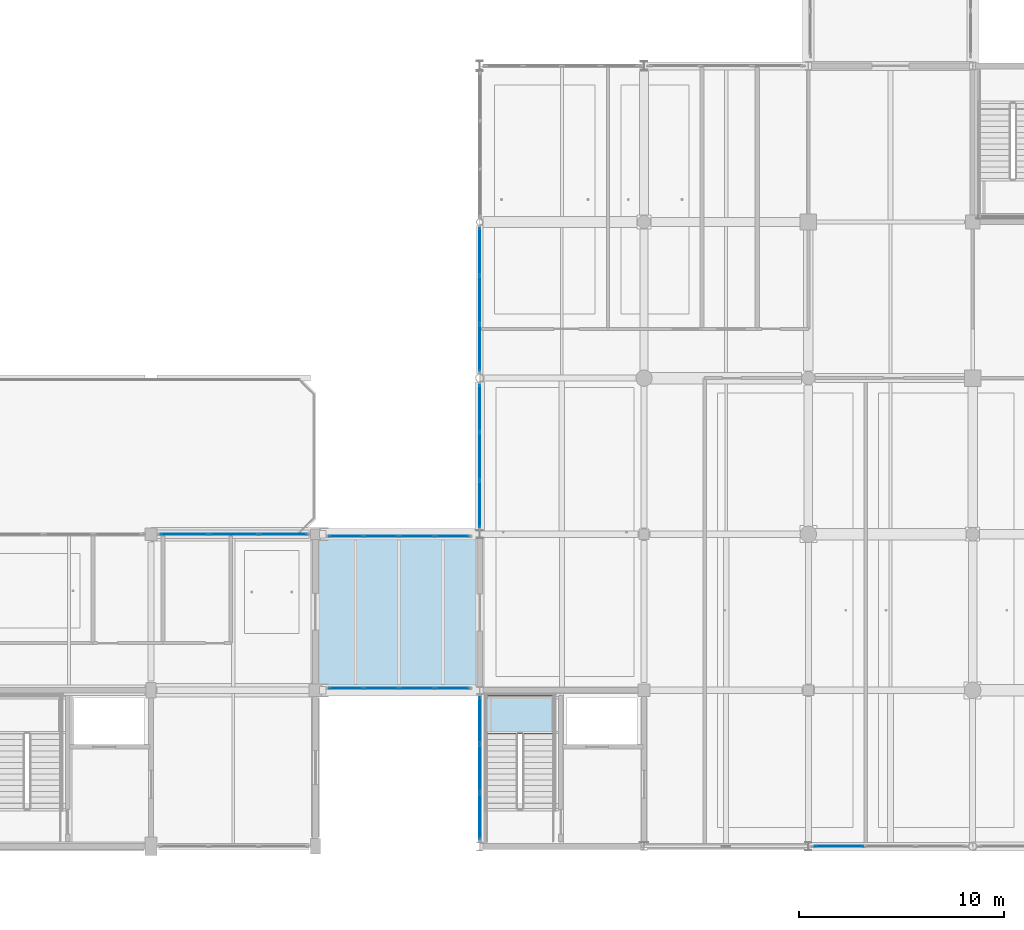
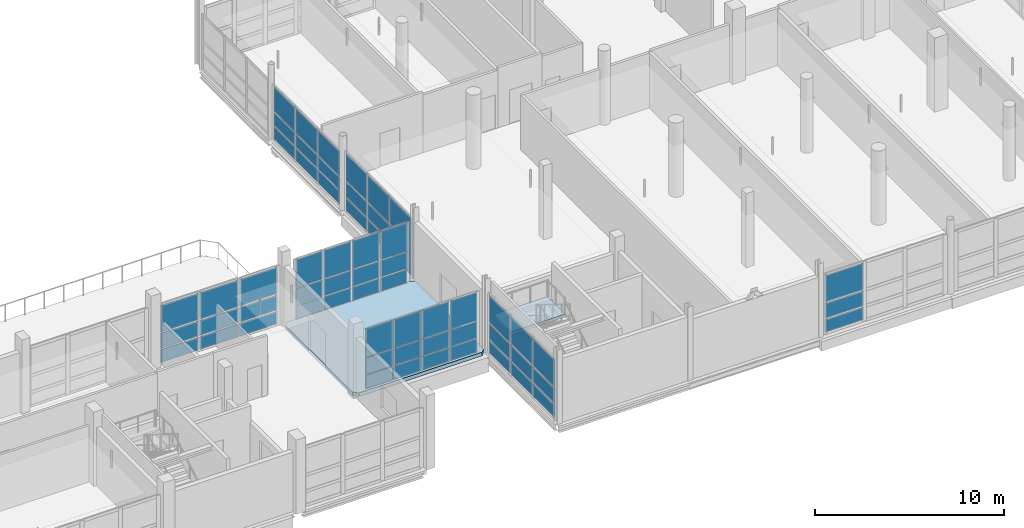
# One storey, part 73 of 147: 63 plates, 2 slabs, 8 elements without a shape of their own.
"""IFC4 building model written with IfcOpenShell, lengths in metres."""

import ifcopenshell
import ifcopenshell.guid

model = None  # the IFC model being written
_history = None  # IfcOwnerHistory: only IFC2X3 demands one
_inside = {}  # id of a spatial element -> (the spatial element, [elements in it])
_under = {}  # id of a project, library or spatial element -> (it, [spatial elements below it])
_declared = {}  # id of a project -> (the project, [libraries it declares])
_typed = {}  # id of a type object -> (the type object, [elements of that type])
_made_of = {}  # id of a material, layer set ... -> (it, [elements and type objects made of it])


def new_model(schema):
    """Start an empty IFC model of exactly this schema.

    Asked for "IFC4X3", IfcOpenShell would pick the latest addendum, in which some entities
    have other attributes; the version numbers below select the first issue.
    IFC2X3 requires an IfcOwnerHistory on every rooted entity: one is made here for all.
    """
    global model, _history
    if schema == "IFC4X3":
        model = ifcopenshell.file(schema_version=(4, 3, 0, 0))
    else:
        model = ifcopenshell.file(schema=schema)
    _inside.clear()
    _under.clear()
    _declared.clear()
    _typed.clear()
    _made_of.clear()
    _history = None
    if model.schema == "IFC2X3":
        org = make("IfcOrganization", Name="unknown")
        user = make(
            "IfcPersonAndOrganization",
            ThePerson=make("IfcPerson", FamilyName="unknown"),
            TheOrganization=org,
        )
        app = make(
            "IfcApplication",
            ApplicationDeveloper=org,
            Version="unknown",
            ApplicationFullName="unknown",
            ApplicationIdentifier="unknown",
        )
        _history = make(
            "IfcOwnerHistory",
            OwningUser=user,
            OwningApplication=app,
            ChangeAction="ADDED",
            CreationDate=0,
        )
    return model


def make(cls, **values):
    """One entity of the class cls with the attributes given. An attribute that is None is left unset."""
    return model.create_entity(
        cls, **{name: value for name, value in values.items() if value is not None}
    )


def rooted(cls, **values):
    """An entity with a GlobalId (a new one), such as an element, a storey or a relation."""
    return make(cls, GlobalId=ifcopenshell.guid.new(), OwnerHistory=_history, **values)


def si_unit(unit_type, name, prefix=None):
    """IfcSIUnit, for example si_unit("LENGTHUNIT", "METRE", prefix="MILLI")."""
    return make("IfcSIUnit", UnitType=unit_type, Prefix=prefix, Name=name)


def assignment(units):
    """IfcUnitAssignment: the units of a project."""
    return None if units is None else make("IfcUnitAssignment", Units=units)


def point(xyz):
    """IfcCartesianPoint."""
    return None if xyz is None else make("IfcCartesianPoint", Coordinates=xyz)


def direction(xyz):
    """IfcDirection."""
    return None if xyz is None else make("IfcDirection", DirectionRatios=xyz)


def frame(location, z_axis=None, x_axis=None):
    """IfcAxis2Placement3D, a coordinate frame: its origin and axes. An axis left out is left unset."""
    return make(
        "IfcAxis2Placement3D",
        Location=point(location),
        Axis=direction(z_axis),
        RefDirection=direction(x_axis),
    )


def frame_2d(location, x_axis=None):
    """IfcAxis2Placement2D, a coordinate frame in the plane: its origin and x axis."""
    return make(
        "IfcAxis2Placement2D", Location=point(location), RefDirection=direction(x_axis)
    )


def origin():
    """The frame at (0, 0, 0) with its axes left unset."""
    return frame((0.0, 0.0, 0.0))


def origin_2d():
    """The frame at (0, 0) in the plane with its x axis left unset."""
    return frame_2d((0.0, 0.0))


def place(relative_to, where):
    """IfcLocalPlacement: puts the frame where relative to a parent placement (None: the world)."""
    return make(
        "IfcLocalPlacement", PlacementRelTo=relative_to, RelativePlacement=where
    )


def context(
    kind, dimensions, precision=None, world=None, true_north=None, identifier=None
):
    """IfcGeometricRepresentationContext, for example the 3D "Model" context."""
    return make(
        "IfcGeometricRepresentationContext",
        ContextIdentifier=identifier,
        ContextType=kind,
        CoordinateSpaceDimension=dimensions,
        Precision=precision,
        WorldCoordinateSystem=world,
        TrueNorth=true_north,
    )


def subcontext(parent, identifier, kind, view, scale=None):
    """IfcGeometricRepresentationSubContext, for example "Body" below "Model"."""
    return make(
        "IfcGeometricRepresentationSubContext",
        ContextIdentifier=identifier,
        ContextType=kind,
        ParentContext=parent,
        TargetScale=scale,
        TargetView=view,
    )


def project(units=None, contexts=None):
    """IfcProject with its units and contexts."""
    return rooted(
        "IfcProject",
        Name="project",
        RepresentationContexts=contexts,
        UnitsInContext=assignment(units),
    )


def spatial(cls, under=None, at=None, **own):
    """A site, building, storey or space (cls), placed at a placement, below another one or the project."""
    s = rooted(cls, ObjectPlacement=at, **own)
    if under is not None:
        _under.setdefault(under.id(), (under, []))[1].append(s)
    return s


def polyline(points):
    """IfcPolyline through the points."""
    return make("IfcPolyline", Points=[point(p) for p in points])


def profile(cls, at=None, kind="AREA", **sizes):
    """A parametric profile (cls). Its sizes go by their IFC names, for example OverallWidth=200.0."""
    return make(cls, ProfileType=kind, Position=at, **sizes)


def rectangle(**sizes):
    """IfcRectangleProfileDef."""
    return profile("IfcRectangleProfileDef", **sizes)


def outline(outer, holes=None, kind="AREA"):
    """IfcArbitraryClosedProfileDef: a profile drawn as a closed curve; with holes, ...WithVoids."""
    if holes is None:
        return make("IfcArbitraryClosedProfileDef", ProfileType=kind, OuterCurve=outer)
    return make(
        "IfcArbitraryProfileDefWithVoids",
        ProfileType=kind,
        OuterCurve=outer,
        InnerCurves=holes,
    )


def extrude(swept, where, along, depth):
    """IfcExtrudedAreaSolid: the profile swept, set in the frame where, extruded along a direction by depth."""
    return make(
        "IfcExtrudedAreaSolid",
        SweptArea=swept,
        Position=where,
        ExtrudedDirection=direction(along),
        Depth=depth,
    )


def shape(context_of_items, identifier, shape_type, items):
    """IfcShapeRepresentation: the items that make up one representation, for example the "Body"."""
    return make(
        "IfcShapeRepresentation",
        ContextOfItems=context_of_items,
        RepresentationIdentifier=identifier,
        RepresentationType=shape_type,
        Items=items,
    )


def material(Name=None, Category=None):
    """IfcMaterial."""
    return make("IfcMaterial", Name=Name, Category=Category)


def layer(
    of_material, thickness, ventilated=None, Name=None, Category=None, Priority=None
):
    """IfcMaterialLayer: one layer of a wall or slab, of a material (None: an air gap)."""
    return make(
        "IfcMaterialLayer",
        Material=of_material,
        LayerThickness=thickness,
        IsVentilated=ventilated,
        Name=Name,
        Category=Category,
        Priority=Priority,
    )


def layer_set(layers, Name=None):
    """IfcMaterialLayerSet."""
    return make("IfcMaterialLayerSet", MaterialLayers=layers, LayerSetName=Name)


def made_of(thing, what):
    """Note that an element or type object is made of a material, layer set ...; save() writes the relation."""
    if what is not None:
        _made_of.setdefault(what.id(), (what, []))[1].append(thing)
    return thing


def type_object(cls, material=None, **own):
    """A type object (cls), such as IfcWallType, which elements share."""
    return made_of(rooted(cls, **own), material)


def element(
    cls,
    number,
    at=None,
    inside=None,
    cuts=None,
    type_object=None,
    material=None,
    context=None,
    identifier="Body",
    shape_type=None,
    held_by="IfcProductDefinitionShape",
    body=None,
    shapes=None,
    **own,
):
    """One element of the class cls, such as IfcWall. Its Tag is "e" and its number.

    at: its placement. inside: the storey or other place that contains it. cuts: it is an
    opening in that element (IfcRelVoidsElement). A single representation is given by context,
    identifier, shape_type and body (its items); several are given by shapes. held_by: the class
    of the entity that holds the representations. save() writes the other relations.
    """
    e = rooted(cls, Tag="e%d" % number, ObjectPlacement=at, **own)
    if body is not None:
        shapes = [shape(context, identifier, shape_type, body)]
    if shapes is not None:
        e.Representation = make(held_by, Representations=shapes)
    if inside is not None:
        _inside.setdefault(inside.id(), (inside, []))[1].append(e)
    if cuts is not None:
        rooted(
            "IfcRelVoidsElement", RelatingBuildingElement=cuts, RelatedOpeningElement=e
        )
    if type_object is not None:
        _typed.setdefault(type_object.id(), (type_object, []))[1].append(e)
    return made_of(e, material)


def aggregate(whole, parts):
    """IfcRelAggregates: a whole, such as a stair, and the parts it consists of."""
    return rooted("IfcRelAggregates", RelatingObject=whole, RelatedObjects=parts)


def save(model, path):
    """Write the relations noted so far, then the file.

    IfcRelAggregates (storeys below a building ...), IfcRelContainedInSpatialStructure (elements
    in a storey), IfcRelDefinesByType, IfcRelAssociatesMaterial and IfcRelDeclares: one each for
    every whole, place, type object, material and project.
    """
    for whole, parts in _under.values():
        aggregate(whole, parts)
    for where, things in _inside.values():
        rooted(
            "IfcRelContainedInSpatialStructure",
            RelatedElements=things,
            RelatingStructure=where,
        )
    for kind, things in _typed.values():
        rooted("IfcRelDefinesByType", RelatedObjects=things, RelatingType=kind)
    for what, things in _made_of.values():
        rooted("IfcRelAssociatesMaterial", RelatedObjects=things, RelatingMaterial=what)
    for by, libraries in _declared.values():
        rooted("IfcRelDeclares", RelatingContext=by, RelatedDefinitions=libraries)
    model.write(path)


model = new_model("IFC4")

# Units and contexts
model_context = context("Model", 3, precision=1e-05, world=origin(), true_north=direction((0.0, 1.0)))
body_context = subcontext(model_context, "Body", "Model", "MODEL_VIEW")
ifc_project = project(units=[si_unit("LENGTHUNIT", "METRE"), si_unit("AREAUNIT", "SQUARE_METRE"), si_unit("VOLUMEUNIT", "CUBIC_METRE"), si_unit("PLANEANGLEUNIT", "RADIAN"), si_unit("MASSUNIT", "GRAM", prefix="KILO")], contexts=[model_context])

# Site, building, storey
site_placement = place(None, origin())
site = spatial("IfcSite", under=ifc_project, at=site_placement, CompositionType="ELEMENT")
building_placement = place(site_placement, origin())
building = spatial("IfcBuilding", under=site, at=building_placement, Name="Khelvaren Railside Concert Hall", CompositionType="ELEMENT")
storey_placement = place(building_placement, frame((0.0, 0.0, 5.39990234375)))
storey = spatial("IfcBuildingStorey", under=building, at=storey_placement, Name="L01", CompositionType="ELEMENT", Elevation=5.39990234375)

# Curtain wall, plates
ifc_material_1 = material(Name="Double-glazed clear foyer glass", Category="glass")
curtain_wall_type_1 = type_object("IfcCurtainWallType", Name="CW47", PredefinedType="USERDEFINED", material=ifc_material_1)
curtain_wall_1_placement = place(storey_placement, origin())
curtain_wall_1 = element("IfcCurtainWall", 1, at=curtain_wall_1_placement, inside=storey, type_object=curtain_wall_type_1, Name="Unitised Curtain Wall CW-LB2-L01-S", ObjectType="UNITISED CURTAIN WALL", PredefinedType="USERDEFINED")
ifc_layer_1 = layer(ifc_material_1, 0.0439453125)
ifc_layer_set_1 = layer_set([ifc_layer_1], Name="Double-glazed clear foyer glass")
plate_type_1 = type_object("IfcPlateType", Name="CWP33", PredefinedType="CURTAIN_PANEL", material=ifc_layer_set_1)
plate_1_placement = place(storey_placement, frame((142.66259765625, 7.699951171875, 0.065185546875), z_axis=(0.0, 0.0, 1.0), x_axis=(-1.0, 0.0, 0.0)))
plate_1 = element("IfcPlate", 2, at=plate_1_placement, type_object=plate_type_1, Name="CW47 panel 1.1", PredefinedType="CURTAIN_PANEL", context=body_context, shape_type="SweptSolid", body=[
    extrude(rectangle(XDim=1.625, YDim=0.0439453125, at=origin_2d()), origin(), (0.0, 0.0, 1.0), 0.8525390625),
])
plate_2_placement = place(storey_placement, frame((142.66259765625, 7.699951171875, 0.982666015625), z_axis=(0.0, 0.0, 1.0), x_axis=(-1.0, 0.0, 0.0)))
plate_2 = element("IfcPlate", 3, at=plate_2_placement, type_object=plate_type_1, Name="CW47 panel 1.2", PredefinedType="CURTAIN_PANEL", context=body_context, shape_type="SweptSolid", body=[
    extrude(rectangle(XDim=1.625, YDim=0.0439453125, at=origin_2d()), origin(), (0.0, 0.0, 1.0), 1.0546875),
])
plate_3_placement = place(storey_placement, frame((142.66259765625, 7.699951171875, 2.10205078125), z_axis=(0.0, 0.0, 1.0), x_axis=(-1.0, 0.0, 0.0)))
plate_3 = element("IfcPlate", 4, at=plate_3_placement, type_object=plate_type_1, Name="CW47 panel 1.3", PredefinedType="CURTAIN_PANEL", context=body_context, shape_type="SweptSolid", body=[
    extrude(rectangle(XDim=1.625, YDim=0.0439453125, at=origin_2d()), origin(), (0.0, 0.0, 1.0), 1.81298828125),
])
plate_4_placement = place(storey_placement, frame((140.94384765625, 7.699951171875, 0.065185546875), z_axis=(0.0, 0.0, 1.0), x_axis=(-1.0, 0.0, 0.0)))
plate_4 = element("IfcPlate", 5, at=plate_4_placement, type_object=plate_type_1, Name="CW47 panel 2.1", PredefinedType="CURTAIN_PANEL", context=body_context, shape_type="SweptSolid", body=[
    extrude(rectangle(XDim=1.66259765625, YDim=0.0439453125, at=origin_2d()), origin(), (0.0, 0.0, 1.0), 0.8525390625),
])
plate_5_placement = place(storey_placement, frame((140.94384765625, 7.699951171875, 0.982666015625), z_axis=(0.0, 0.0, 1.0), x_axis=(-1.0, 0.0, 0.0)))
plate_5 = element("IfcPlate", 6, at=plate_5_placement, type_object=plate_type_1, Name="CW47 panel 2.2", PredefinedType="CURTAIN_PANEL", context=body_context, shape_type="SweptSolid", body=[
    extrude(rectangle(XDim=1.66259765625, YDim=0.0439453125, at=origin_2d()), origin(), (0.0, 0.0, 1.0), 1.0546875),
])
plate_6_placement = place(storey_placement, frame((140.94384765625, 7.699951171875, 2.10205078125), z_axis=(0.0, 0.0, 1.0), x_axis=(-1.0, 0.0, 0.0)))
plate_6 = element("IfcPlate", 7, at=plate_6_placement, type_object=plate_type_1, Name="CW47 panel 2.3", PredefinedType="CURTAIN_PANEL", context=body_context, shape_type="SweptSolid", body=[
    extrude(rectangle(XDim=1.66259765625, YDim=0.0439453125, at=origin_2d()), origin(), (0.0, 0.0, 1.0), 1.81298828125),
])
plate_7_placement = place(storey_placement, frame((139.206298828125, 7.699951171875, 0.065185546875), z_axis=(0.0, 0.0, 1.0), x_axis=(-1.0, 0.0, 0.0)))
plate_7 = element("IfcPlate", 8, at=plate_7_placement, type_object=plate_type_1, Name="CW47 panel 3.1", PredefinedType="CURTAIN_PANEL", context=body_context, shape_type="SweptSolid", body=[
    extrude(rectangle(XDim=1.66259765625, YDim=0.0439453125, at=origin_2d()), origin(), (0.0, 0.0, 1.0), 0.8525390625),
])
plate_8_placement = place(storey_placement, frame((139.206298828125, 7.699951171875, 0.982666015625), z_axis=(0.0, 0.0, 1.0), x_axis=(-1.0, 0.0, 0.0)))
plate_8 = element("IfcPlate", 9, at=plate_8_placement, type_object=plate_type_1, Name="CW47 panel 3.2", PredefinedType="CURTAIN_PANEL", context=body_context, shape_type="SweptSolid", body=[
    extrude(rectangle(XDim=1.66259765625, YDim=0.0439453125, at=origin_2d()), origin(), (0.0, 0.0, 1.0), 1.0546875),
])
plate_9_placement = place(storey_placement, frame((139.206298828125, 7.699951171875, 2.10205078125), z_axis=(0.0, 0.0, 1.0), x_axis=(-1.0, 0.0, 0.0)))
plate_9 = element("IfcPlate", 10, at=plate_9_placement, type_object=plate_type_1, Name="CW47 panel 3.3", PredefinedType="CURTAIN_PANEL", context=body_context, shape_type="SweptSolid", body=[
    extrude(rectangle(XDim=1.66259765625, YDim=0.0439453125, at=origin_2d()), origin(), (0.0, 0.0, 1.0), 1.81298828125),
])
plate_10_placement = place(storey_placement, frame((137.487548828125, 7.699951171875, 0.065185546875), z_axis=(0.0, 0.0, 1.0), x_axis=(-1.0, 0.0, 0.0)))
plate_10 = element("IfcPlate", 11, at=plate_10_placement, type_object=plate_type_1, Name="CW47 panel 4.1", PredefinedType="CURTAIN_PANEL", context=body_context, shape_type="SweptSolid", body=[
    extrude(rectangle(XDim=1.625, YDim=0.0439453125, at=origin_2d()), origin(), (0.0, 0.0, 1.0), 0.8525390625),
])
plate_11_placement = place(storey_placement, frame((137.487548828125, 7.699951171875, 0.982666015625), z_axis=(0.0, 0.0, 1.0), x_axis=(-1.0, 0.0, 0.0)))
plate_11 = element("IfcPlate", 12, at=plate_11_placement, type_object=plate_type_1, Name="CW47 panel 4.2", PredefinedType="CURTAIN_PANEL", context=body_context, shape_type="SweptSolid", body=[
    extrude(rectangle(XDim=1.625, YDim=0.0439453125, at=origin_2d()), origin(), (0.0, 0.0, 1.0), 1.0546875),
])
plate_12_placement = place(storey_placement, frame((137.487548828125, 7.699951171875, 2.10205078125), z_axis=(0.0, 0.0, 1.0), x_axis=(-1.0, 0.0, 0.0)))
plate_12 = element("IfcPlate", 13, at=plate_12_placement, type_object=plate_type_1, Name="CW47 panel 4.3", PredefinedType="CURTAIN_PANEL", context=body_context, shape_type="SweptSolid", body=[
    extrude(rectangle(XDim=1.625, YDim=0.0439453125, at=origin_2d()), origin(), (0.0, 0.0, 1.0), 1.81298828125),
])
aggregate(curtain_wall_1, [plate_1, plate_2, plate_3, plate_4, plate_5, plate_6, plate_7, plate_8, plate_9, plate_10, plate_11, plate_12])

curtain_wall_2_placement = place(storey_placement, origin())
curtain_wall_2 = element("IfcCurtainWall", 14, at=curtain_wall_2_placement, inside=storey, type_object=curtain_wall_type_1, Name="Unitised Curtain Wall CW-LB2-L01-N", ObjectType="UNITISED CURTAIN WALL", PredefinedType="USERDEFINED")
plate_13_placement = place(storey_placement, frame((137.487548828125, 15.10009765625, 0.065185546875), z_axis=(0.0, 0.0, 1.0), x_axis=(1.0, 0.0, 0.0)))
plate_13 = element("IfcPlate", 15, at=plate_13_placement, type_object=plate_type_1, Name="CW47 panel 1.1", PredefinedType="CURTAIN_PANEL", context=body_context, shape_type="SweptSolid", body=[
    extrude(rectangle(XDim=1.625, YDim=0.0439453125, at=origin_2d()), origin(), (0.0, 0.0, 1.0), 0.8525390625),
])
plate_14_placement = place(storey_placement, frame((137.487548828125, 15.10009765625, 0.982666015625), z_axis=(0.0, 0.0, 1.0), x_axis=(1.0, 0.0, 0.0)))
plate_14 = element("IfcPlate", 16, at=plate_14_placement, type_object=plate_type_1, Name="CW47 panel 1.2", PredefinedType="CURTAIN_PANEL", context=body_context, shape_type="SweptSolid", body=[
    extrude(rectangle(XDim=1.625, YDim=0.0439453125, at=origin_2d()), origin(), (0.0, 0.0, 1.0), 1.0546875),
])
plate_15_placement = place(storey_placement, frame((137.487548828125, 15.10009765625, 2.10205078125), z_axis=(0.0, 0.0, 1.0), x_axis=(1.0, 0.0, 0.0)))
plate_15 = element("IfcPlate", 17, at=plate_15_placement, type_object=plate_type_1, Name="CW47 panel 1.3", PredefinedType="CURTAIN_PANEL", context=body_context, shape_type="SweptSolid", body=[
    extrude(rectangle(XDim=1.625, YDim=0.0439453125, at=origin_2d()), origin(), (0.0, 0.0, 1.0), 1.81298828125),
])
plate_16_placement = place(storey_placement, frame((139.206298828125, 15.10009765625, 0.065185546875), z_axis=(0.0, 0.0, 1.0), x_axis=(1.0, 0.0, 0.0)))
plate_16 = element("IfcPlate", 18, at=plate_16_placement, type_object=plate_type_1, Name="CW47 panel 2.1", PredefinedType="CURTAIN_PANEL", context=body_context, shape_type="SweptSolid", body=[
    extrude(rectangle(XDim=1.66259765625, YDim=0.0439453125, at=origin_2d()), origin(), (0.0, 0.0, 1.0), 0.8525390625),
])
plate_17_placement = place(storey_placement, frame((139.206298828125, 15.10009765625, 0.982666015625), z_axis=(0.0, 0.0, 1.0), x_axis=(1.0, 0.0, 0.0)))
plate_17 = element("IfcPlate", 19, at=plate_17_placement, type_object=plate_type_1, Name="CW47 panel 2.2", PredefinedType="CURTAIN_PANEL", context=body_context, shape_type="SweptSolid", body=[
    extrude(rectangle(XDim=1.66259765625, YDim=0.0439453125, at=origin_2d()), origin(), (0.0, 0.0, 1.0), 1.0546875),
])
plate_18_placement = place(storey_placement, frame((139.206298828125, 15.10009765625, 2.10205078125), z_axis=(0.0, 0.0, 1.0), x_axis=(1.0, 0.0, 0.0)))
plate_18 = element("IfcPlate", 20, at=plate_18_placement, type_object=plate_type_1, Name="CW47 panel 2.3", PredefinedType="CURTAIN_PANEL", context=body_context, shape_type="SweptSolid", body=[
    extrude(rectangle(XDim=1.66259765625, YDim=0.0439453125, at=origin_2d()), origin(), (0.0, 0.0, 1.0), 1.81298828125),
])
plate_19_placement = place(storey_placement, frame((140.94384765625, 15.10009765625, 0.065185546875), z_axis=(0.0, 0.0, 1.0), x_axis=(1.0, 0.0, 0.0)))
plate_19 = element("IfcPlate", 21, at=plate_19_placement, type_object=plate_type_1, Name="CW47 panel 3.1", PredefinedType="CURTAIN_PANEL", context=body_context, shape_type="SweptSolid", body=[
    extrude(rectangle(XDim=1.66259765625, YDim=0.0439453125, at=origin_2d()), origin(), (0.0, 0.0, 1.0), 0.8525390625),
])
plate_20_placement = place(storey_placement, frame((140.94384765625, 15.10009765625, 0.982666015625), z_axis=(0.0, 0.0, 1.0), x_axis=(1.0, 0.0, 0.0)))
plate_20 = element("IfcPlate", 22, at=plate_20_placement, type_object=plate_type_1, Name="CW47 panel 3.2", PredefinedType="CURTAIN_PANEL", context=body_context, shape_type="SweptSolid", body=[
    extrude(rectangle(XDim=1.66259765625, YDim=0.0439453125, at=origin_2d()), origin(), (0.0, 0.0, 1.0), 1.0546875),
])
plate_21_placement = place(storey_placement, frame((140.94384765625, 15.10009765625, 2.10205078125), z_axis=(0.0, 0.0, 1.0), x_axis=(1.0, 0.0, 0.0)))
plate_21 = element("IfcPlate", 23, at=plate_21_placement, type_object=plate_type_1, Name="CW47 panel 3.3", PredefinedType="CURTAIN_PANEL", context=body_context, shape_type="SweptSolid", body=[
    extrude(rectangle(XDim=1.66259765625, YDim=0.0439453125, at=origin_2d()), origin(), (0.0, 0.0, 1.0), 1.81298828125),
])
plate_22_placement = place(storey_placement, frame((142.66259765625, 15.10009765625, 0.065185546875), z_axis=(0.0, 0.0, 1.0), x_axis=(1.0, 0.0, 0.0)))
plate_22 = element("IfcPlate", 24, at=plate_22_placement, type_object=plate_type_1, Name="CW47 panel 4.1", PredefinedType="CURTAIN_PANEL", context=body_context, shape_type="SweptSolid", body=[
    extrude(rectangle(XDim=1.625, YDim=0.0439453125, at=origin_2d()), origin(), (0.0, 0.0, 1.0), 0.8525390625),
])
plate_23_placement = place(storey_placement, frame((142.66259765625, 15.10009765625, 0.982666015625), z_axis=(0.0, 0.0, 1.0), x_axis=(1.0, 0.0, 0.0)))
plate_23 = element("IfcPlate", 25, at=plate_23_placement, type_object=plate_type_1, Name="CW47 panel 4.2", PredefinedType="CURTAIN_PANEL", context=body_context, shape_type="SweptSolid", body=[
    extrude(rectangle(XDim=1.625, YDim=0.0439453125, at=origin_2d()), origin(), (0.0, 0.0, 1.0), 1.0546875),
])
plate_24_placement = place(storey_placement, frame((142.66259765625, 15.10009765625, 2.10205078125), z_axis=(0.0, 0.0, 1.0), x_axis=(1.0, 0.0, 0.0)))
plate_24 = element("IfcPlate", 26, at=plate_24_placement, type_object=plate_type_1, Name="CW47 panel 4.3", PredefinedType="CURTAIN_PANEL", context=body_context, shape_type="SweptSolid", body=[
    extrude(rectangle(XDim=1.625, YDim=0.0439453125, at=origin_2d()), origin(), (0.0, 0.0, 1.0), 1.81298828125),
])
aggregate(curtain_wall_2, [plate_13, plate_14, plate_15, plate_16, plate_17, plate_18, plate_19, plate_20, plate_21, plate_22, plate_23, plate_24])

ifc_material_2 = material(Name="Triple-glazed solar-control glass", Category="glass")
curtain_wall_type_2 = type_object("IfcCurtainWallType", Name="CW41", PredefinedType="USERDEFINED", material=ifc_material_2)
curtain_wall_3_placement = place(storey_placement, origin())
curtain_wall_3 = element("IfcCurtainWall", 27, at=curtain_wall_3_placement, inside=storey, type_object=curtain_wall_type_2, Name="Unitised Curtain Wall CW-V2-L01-W-15", ObjectType="UNITISED CURTAIN WALL", PredefinedType="USERDEFINED")
ifc_layer_2 = layer(ifc_material_2, 0.035888671875)
ifc_layer_set_2 = layer_set([ifc_layer_2], Name="Triple-glazed solar-control glass")
plate_type_2 = type_object("IfcPlateType", Name="CWP53", PredefinedType="CURTAIN_PANEL", material=ifc_layer_set_2)
plate_25_placement = place(storey_placement, frame((144.0, 16.662353515625, 0.0751953125), z_axis=(0.0, 0.0, 1.0), x_axis=(0.0, 1.0, 0.0)))
plate_25 = element("IfcPlate", 28, at=plate_25_placement, type_object=plate_type_2, Name="CW41 panel 1.1", PredefinedType="CURTAIN_PANEL", context=body_context, shape_type="SweptSolid", body=[
    extrude(rectangle(XDim=2.23974609375, YDim=0.035888671875, at=origin_2d()), origin(), (0.0, 0.0, 1.0), 0.83740234375),
])
plate_26_placement = place(storey_placement, frame((144.0, 16.662353515625, 0.987548828125), z_axis=(0.0, 0.0, 1.0), x_axis=(0.0, 1.0, 0.0)))
plate_26 = element("IfcPlate", 29, at=plate_26_placement, type_object=plate_type_2, Name="CW41 panel 1.2", PredefinedType="CURTAIN_PANEL", context=body_context, shape_type="SweptSolid", body=[
    extrude(rectangle(XDim=2.23974609375, YDim=0.035888671875, at=origin_2d()), origin(), (0.0, 0.0, 1.0), 0.97705078125),
])
plate_27_placement = place(storey_placement, frame((144.0, 16.662353515625, 2.03955078125), z_axis=(0.0, 0.0, 1.0), x_axis=(0.0, 1.0, 0.0)))
plate_27 = element("IfcPlate", 30, at=plate_27_placement, type_object=plate_type_2, Name="CW41 panel 1.3", PredefinedType="CURTAIN_PANEL", context=body_context, shape_type="SweptSolid", body=[
    extrude(rectangle(XDim=2.23974609375, YDim=0.035888671875, at=origin_2d()), origin(), (0.0, 0.0, 1.0), 1.735595703125),
])
plate_28_placement = place(storey_placement, frame((144.0, 18.995849609375, 0.0751953125), z_axis=(0.0, 0.0, 1.0), x_axis=(0.0, 1.0, 0.0)))
plate_28 = element("IfcPlate", 31, at=plate_28_placement, type_object=plate_type_2, Name="CW41 panel 2.1", PredefinedType="CURTAIN_PANEL", context=body_context, shape_type="SweptSolid", body=[
    extrude(rectangle(XDim=2.27734375, YDim=0.035888671875, at=origin_2d()), origin(), (0.0, 0.0, 1.0), 0.83740234375),
])
plate_29_placement = place(storey_placement, frame((144.0, 18.995849609375, 0.987548828125), z_axis=(0.0, 0.0, 1.0), x_axis=(0.0, 1.0, 0.0)))
plate_29 = element("IfcPlate", 32, at=plate_29_placement, type_object=plate_type_2, Name="CW41 panel 2.2", PredefinedType="CURTAIN_PANEL", context=body_context, shape_type="SweptSolid", body=[
    extrude(rectangle(XDim=2.27734375, YDim=0.035888671875, at=origin_2d()), origin(), (0.0, 0.0, 1.0), 0.97705078125),
])
plate_30_placement = place(storey_placement, frame((144.0, 18.995849609375, 2.03955078125), z_axis=(0.0, 0.0, 1.0), x_axis=(0.0, 1.0, 0.0)))
plate_30 = element("IfcPlate", 33, at=plate_30_placement, type_object=plate_type_2, Name="CW41 panel 2.3", PredefinedType="CURTAIN_PANEL", context=body_context, shape_type="SweptSolid", body=[
    extrude(rectangle(XDim=2.27734375, YDim=0.035888671875, at=origin_2d()), origin(), (0.0, 0.0, 1.0), 1.735595703125),
])
plate_31_placement = place(storey_placement, frame((144.0, 21.329345703125, 0.0751953125), z_axis=(0.0, 0.0, 1.0), x_axis=(0.0, 1.0, 0.0)))
plate_31 = element("IfcPlate", 34, at=plate_31_placement, type_object=plate_type_2, Name="CW41 panel 3.1", PredefinedType="CURTAIN_PANEL", context=body_context, shape_type="SweptSolid", body=[
    extrude(rectangle(XDim=2.23974609375, YDim=0.035888671875, at=origin_2d()), origin(), (0.0, 0.0, 1.0), 0.83740234375),
])
plate_32_placement = place(storey_placement, frame((144.0, 21.329345703125, 0.987548828125), z_axis=(0.0, 0.0, 1.0), x_axis=(0.0, 1.0, 0.0)))
plate_32 = element("IfcPlate", 35, at=plate_32_placement, type_object=plate_type_2, Name="CW41 panel 3.2", PredefinedType="CURTAIN_PANEL", context=body_context, shape_type="SweptSolid", body=[
    extrude(rectangle(XDim=2.23974609375, YDim=0.035888671875, at=origin_2d()), origin(), (0.0, 0.0, 1.0), 0.97705078125),
])
plate_33_placement = place(storey_placement, frame((144.0, 21.329345703125, 2.03955078125), z_axis=(0.0, 0.0, 1.0), x_axis=(0.0, 1.0, 0.0)))
plate_33 = element("IfcPlate", 36, at=plate_33_placement, type_object=plate_type_2, Name="CW41 panel 3.3", PredefinedType="CURTAIN_PANEL", context=body_context, shape_type="SweptSolid", body=[
    extrude(rectangle(XDim=2.23974609375, YDim=0.035888671875, at=origin_2d()), origin(), (0.0, 0.0, 1.0), 1.735595703125),
])
aggregate(curtain_wall_3, [plate_25, plate_26, plate_27, plate_28, plate_29, plate_30, plate_31, plate_32, plate_33])

curtain_wall_type_3 = type_object("IfcCurtainWallType", Name="CW88", PredefinedType="USERDEFINED", material=ifc_material_2)
curtain_wall_4_placement = place(storey_placement, origin())
curtain_wall_4 = element("IfcCurtainWall", 37, at=curtain_wall_4_placement, inside=storey, type_object=curtain_wall_type_3, Name="Unitised Curtain Wall CW-V2-L01-W-23", ObjectType="UNITISED CURTAIN WALL", PredefinedType="USERDEFINED")
plate_34_placement = place(storey_placement, frame((144.0, 24.276123046875, 0.0751953125), z_axis=(0.0, 0.0, 1.0), x_axis=(0.0, 1.0, 0.0)))
plate_34 = element("IfcPlate", 38, at=plate_34_placement, type_object=plate_type_2, Name="CW88 panel 1.1", PredefinedType="CURTAIN_PANEL", context=body_context, shape_type="SweptSolid", body=[
    extrude(rectangle(XDim=2.250732421875, YDim=0.035888671875, at=origin_2d()), origin(), (0.0, 0.0, 1.0), 0.83740234375),
])
plate_35_placement = place(storey_placement, frame((144.0, 24.276123046875, 0.98779296875), z_axis=(0.0, 0.0, 1.0), x_axis=(0.0, 1.0, 0.0)))
plate_35 = element("IfcPlate", 39, at=plate_35_placement, type_object=plate_type_2, Name="CW88 panel 1.2", PredefinedType="CURTAIN_PANEL", context=body_context, shape_type="SweptSolid", body=[
    extrude(rectangle(XDim=2.250732421875, YDim=0.035888671875, at=origin_2d()), origin(), (0.0, 0.0, 1.0), 0.821044921875),
])
plate_36_placement = place(storey_placement, frame((144.0, 24.276123046875, 1.8837890625), z_axis=(0.0, 0.0, 1.0), x_axis=(0.0, 1.0, 0.0)))
plate_36 = element("IfcPlate", 40, at=plate_36_placement, type_object=plate_type_2, Name="CW88 panel 1.3", PredefinedType="CURTAIN_PANEL", context=body_context, shape_type="SweptSolid", body=[
    extrude(rectangle(XDim=2.250732421875, YDim=0.035888671875, at=origin_2d()), origin(), (0.0, 0.0, 1.0), 1.591552734375),
])
plate_37_placement = place(storey_placement, frame((144.0, 26.62060546875, 0.0751953125), z_axis=(0.0, 0.0, 1.0), x_axis=(0.0, 1.0, 0.0)))
plate_37 = element("IfcPlate", 41, at=plate_37_placement, type_object=plate_type_2, Name="CW88 panel 2.1", PredefinedType="CURTAIN_PANEL", context=body_context, shape_type="SweptSolid", body=[
    extrude(rectangle(XDim=2.288330078125, YDim=0.035888671875, at=origin_2d()), origin(), (0.0, 0.0, 1.0), 0.83740234375),
])
plate_38_placement = place(storey_placement, frame((144.0, 26.62060546875, 0.98779296875), z_axis=(0.0, 0.0, 1.0), x_axis=(0.0, 1.0, 0.0)))
plate_38 = element("IfcPlate", 42, at=plate_38_placement, type_object=plate_type_2, Name="CW88 panel 2.2", PredefinedType="CURTAIN_PANEL", context=body_context, shape_type="SweptSolid", body=[
    extrude(rectangle(XDim=2.288330078125, YDim=0.035888671875, at=origin_2d()), origin(), (0.0, 0.0, 1.0), 0.821044921875),
])
plate_39_placement = place(storey_placement, frame((144.0, 26.62060546875, 1.8837890625), z_axis=(0.0, 0.0, 1.0), x_axis=(0.0, 1.0, 0.0)))
plate_39 = element("IfcPlate", 43, at=plate_39_placement, type_object=plate_type_2, Name="CW88 panel 2.3", PredefinedType="CURTAIN_PANEL", context=body_context, shape_type="SweptSolid", body=[
    extrude(rectangle(XDim=2.288330078125, YDim=0.035888671875, at=origin_2d()), origin(), (0.0, 0.0, 1.0), 1.591552734375),
])
plate_40_placement = place(storey_placement, frame((144.0, 28.965087890625, 0.0751953125), z_axis=(0.0, 0.0, 1.0), x_axis=(0.0, 1.0, 0.0)))
plate_40 = element("IfcPlate", 44, at=plate_40_placement, type_object=plate_type_2, Name="CW88 panel 3.1", PredefinedType="CURTAIN_PANEL", context=body_context, shape_type="SweptSolid", body=[
    extrude(rectangle(XDim=2.250732421875, YDim=0.035888671875, at=origin_2d()), origin(), (0.0, 0.0, 1.0), 0.83740234375),
])
plate_41_placement = place(storey_placement, frame((144.0, 28.965087890625, 0.98779296875), z_axis=(0.0, 0.0, 1.0), x_axis=(0.0, 1.0, 0.0)))
plate_41 = element("IfcPlate", 45, at=plate_41_placement, type_object=plate_type_2, Name="CW88 panel 3.2", PredefinedType="CURTAIN_PANEL", context=body_context, shape_type="SweptSolid", body=[
    extrude(rectangle(XDim=2.250732421875, YDim=0.035888671875, at=origin_2d()), origin(), (0.0, 0.0, 1.0), 0.821044921875),
])
plate_42_placement = place(storey_placement, frame((144.0, 28.965087890625, 1.8837890625), z_axis=(0.0, 0.0, 1.0), x_axis=(0.0, 1.0, 0.0)))
plate_42 = element("IfcPlate", 46, at=plate_42_placement, type_object=plate_type_2, Name="CW88 panel 3.3", PredefinedType="CURTAIN_PANEL", context=body_context, shape_type="SweptSolid", body=[
    extrude(rectangle(XDim=2.250732421875, YDim=0.035888671875, at=origin_2d()), origin(), (0.0, 0.0, 1.0), 1.591552734375),
])
aggregate(curtain_wall_4, [plate_34, plate_35, plate_36, plate_37, plate_38, plate_39, plate_40, plate_41, plate_42])

ifc_material_3 = material(Name="Acoustic laminated crystal facade glass", Category="glass")
curtain_wall_type_4 = type_object("IfcCurtainWallType", Name="CW66", PredefinedType="USERDEFINED", material=ifc_material_3)
curtain_wall_5_placement = place(storey_placement, origin())
curtain_wall_5 = element("IfcCurtainWall", 47, at=curtain_wall_5_placement, inside=storey, type_object=curtain_wall_type_4, Name="Unitised Curtain Wall CW-V2-L01-S-160", ObjectType="UNITISED CURTAIN WALL", PredefinedType="USERDEFINED")
ifc_layer_3 = layer(ifc_material_3, 0.0400390625)
ifc_layer_set_3 = layer_set([ifc_layer_3], Name="Acoustic laminated crystal facade glass")
plate_type_3 = type_object("IfcPlateType", Name="CWP77", PredefinedType="CURTAIN_PANEL", material=ifc_layer_set_3)
plate_43_placement = place(storey_placement, frame((161.497314453125, 0.0, 0.0849609375), z_axis=(0.0, 0.0, 1.0), x_axis=(-1.0, 0.0, 0.0)))
plate_43 = element("IfcPlate", 48, at=plate_43_placement, type_object=plate_type_3, Name="CW66 panel 3.1", PredefinedType="CURTAIN_PANEL", context=body_context, shape_type="SweptSolid", body=[
    extrude(rectangle(XDim=2.369873046875, YDim=0.0400390625, at=origin_2d()), origin(), (0.0, 0.0, 1.0), 0.822509765625),
])
plate_44_placement = place(storey_placement, frame((161.497314453125, 0.0, 0.99267578125), z_axis=(0.0, 0.0, 1.0), x_axis=(-1.0, 0.0, 0.0)))
plate_44 = element("IfcPlate", 49, at=plate_44_placement, type_object=plate_type_3, Name="CW66 panel 3.2", PredefinedType="CURTAIN_PANEL", context=body_context, shape_type="SweptSolid", body=[
    extrude(rectangle(XDim=2.369873046875, YDim=0.0400390625, at=origin_2d()), origin(), (0.0, 0.0, 1.0), 0.967041015625),
])
plate_45_placement = place(storey_placement, frame((161.497314453125, 0.0, 2.04443359375), z_axis=(0.0, 0.0, 1.0), x_axis=(-1.0, 0.0, 0.0)))
plate_45 = element("IfcPlate", 50, at=plate_45_placement, type_object=plate_type_3, Name="CW66 panel 3.3", PredefinedType="CURTAIN_PANEL", context=body_context, shape_type="SweptSolid", body=[
    extrude(rectangle(XDim=2.369873046875, YDim=0.0400390625, at=origin_2d()), origin(), (0.0, 0.0, 1.0), 1.720458984375),
])
aggregate(curtain_wall_5, [plate_43, plate_44, plate_45])

curtain_wall_type_5 = type_object("IfcCurtainWallType", Name="CW54", PredefinedType="USERDEFINED", material=ifc_material_3)
curtain_wall_6_placement = place(storey_placement, origin())
curtain_wall_6 = element("IfcCurtainWall", 51, at=curtain_wall_6_placement, inside=storey, type_object=curtain_wall_type_5, Name="Unitised Curtain Wall CW-V2-L01-W-0", ObjectType="UNITISED CURTAIN WALL", PredefinedType="USERDEFINED")
plate_46_placement = place(storey_placement, frame((144.0, 1.476318359375, 0.0849609375), z_axis=(0.0, 0.0, 1.0), x_axis=(0.0, 1.0, 0.0)))
plate_46 = element("IfcPlate", 52, at=plate_46_placement, type_object=plate_type_3, Name="CW54 panel 1.1", PredefinedType="CURTAIN_PANEL", context=body_context, shape_type="SweptSolid", body=[
    extrude(rectangle(XDim=2.2275390625, YDim=0.0400390625, at=origin_2d()), origin(), (0.0, 0.0, 1.0), 0.822509765625),
])
plate_47_placement = place(storey_placement, frame((144.0, 1.476318359375, 0.99267578125), z_axis=(0.0, 0.0, 1.0), x_axis=(0.0, 1.0, 0.0)))
plate_47 = element("IfcPlate", 53, at=plate_47_placement, type_object=plate_type_3, Name="CW54 panel 1.2", PredefinedType="CURTAIN_PANEL", context=body_context, shape_type="SweptSolid", body=[
    extrude(rectangle(XDim=2.2275390625, YDim=0.0400390625, at=origin_2d()), origin(), (0.0, 0.0, 1.0), 0.992919921875),
])
plate_48_placement = place(storey_placement, frame((144.0, 1.476318359375, 2.07080078125), z_axis=(0.0, 0.0, 1.0), x_axis=(0.0, 1.0, 0.0)))
plate_48 = element("IfcPlate", 54, at=plate_48_placement, type_object=plate_type_3, Name="CW54 panel 1.3", PredefinedType="CURTAIN_PANEL", context=body_context, shape_type="SweptSolid", body=[
    extrude(rectangle(XDim=2.2275390625, YDim=0.0400390625, at=origin_2d()), origin(), (0.0, 0.0, 1.0), 1.744384765625),
])
plate_49_placement = place(storey_placement, frame((144.0, 3.81005859375, 0.0849609375), z_axis=(0.0, 0.0, 1.0), x_axis=(0.0, 1.0, 0.0)))
plate_49 = element("IfcPlate", 55, at=plate_49_placement, type_object=plate_type_3, Name="CW54 panel 2.1", PredefinedType="CURTAIN_PANEL", context=body_context, shape_type="SweptSolid", body=[
    extrude(rectangle(XDim=2.27001953125, YDim=0.0400390625, at=origin_2d()), origin(), (0.0, 0.0, 1.0), 0.822509765625),
])
plate_50_placement = place(storey_placement, frame((144.0, 3.81005859375, 0.99267578125), z_axis=(0.0, 0.0, 1.0), x_axis=(0.0, 1.0, 0.0)))
plate_50 = element("IfcPlate", 56, at=plate_50_placement, type_object=plate_type_3, Name="CW54 panel 2.2", PredefinedType="CURTAIN_PANEL", context=body_context, shape_type="SweptSolid", body=[
    extrude(rectangle(XDim=2.27001953125, YDim=0.0400390625, at=origin_2d()), origin(), (0.0, 0.0, 1.0), 0.992919921875),
])
plate_51_placement = place(storey_placement, frame((144.0, 3.81005859375, 2.07080078125), z_axis=(0.0, 0.0, 1.0), x_axis=(0.0, 1.0, 0.0)))
plate_51 = element("IfcPlate", 57, at=plate_51_placement, type_object=plate_type_3, Name="CW54 panel 2.3", PredefinedType="CURTAIN_PANEL", context=body_context, shape_type="SweptSolid", body=[
    extrude(rectangle(XDim=2.27001953125, YDim=0.0400390625, at=origin_2d()), origin(), (0.0, 0.0, 1.0), 1.744384765625),
])
plate_52_placement = place(storey_placement, frame((144.0, 6.143798828125, 0.0849609375), z_axis=(0.0, 0.0, 1.0), x_axis=(0.0, 1.0, 0.0)))
plate_52 = element("IfcPlate", 58, at=plate_52_placement, type_object=plate_type_3, Name="CW54 panel 3.1", PredefinedType="CURTAIN_PANEL", context=body_context, shape_type="SweptSolid", body=[
    extrude(rectangle(XDim=2.2275390625, YDim=0.0400390625, at=origin_2d()), origin(), (0.0, 0.0, 1.0), 0.822509765625),
])
plate_53_placement = place(storey_placement, frame((144.0, 6.143798828125, 0.99267578125), z_axis=(0.0, 0.0, 1.0), x_axis=(0.0, 1.0, 0.0)))
plate_53 = element("IfcPlate", 59, at=plate_53_placement, type_object=plate_type_3, Name="CW54 panel 3.2", PredefinedType="CURTAIN_PANEL", context=body_context, shape_type="SweptSolid", body=[
    extrude(rectangle(XDim=2.2275390625, YDim=0.0400390625, at=origin_2d()), origin(), (0.0, 0.0, 1.0), 0.992919921875),
])
plate_54_placement = place(storey_placement, frame((144.0, 6.143798828125, 2.07080078125), z_axis=(0.0, 0.0, 1.0), x_axis=(0.0, 1.0, 0.0)))
plate_54 = element("IfcPlate", 60, at=plate_54_placement, type_object=plate_type_3, Name="CW54 panel 3.3", PredefinedType="CURTAIN_PANEL", context=body_context, shape_type="SweptSolid", body=[
    extrude(rectangle(XDim=2.2275390625, YDim=0.0400390625, at=origin_2d()), origin(), (0.0, 0.0, 1.0), 1.744384765625),
])
aggregate(curtain_wall_6, [plate_46, plate_47, plate_48, plate_49, plate_50, plate_51, plate_52, plate_53, plate_54])

curtain_wall_7_placement = place(storey_placement, origin())
curtain_wall_7 = element("IfcCurtainWall", 61, at=curtain_wall_7_placement, inside=storey, type_object=curtain_wall_type_4, Name="Unitised Curtain Wall CW-V3-L01-N-128", ObjectType="UNITISED CURTAIN WALL", PredefinedType="USERDEFINED")
plate_55_placement = place(storey_placement, frame((129.614501953125, 15.199951171875, 0.0849609375), z_axis=(0.0, 0.0, 1.0), x_axis=(1.0, 0.0, 0.0)))
plate_55 = element("IfcPlate", 62, at=plate_55_placement, type_object=plate_type_3, Name="CW66 panel 1.1", PredefinedType="CURTAIN_PANEL", context=body_context, shape_type="SweptSolid", body=[
    extrude(rectangle(XDim=2.30419921875, YDim=0.0400390625, at=origin_2d()), origin(), (0.0, 0.0, 1.0), 0.822509765625),
])
plate_56_placement = place(storey_placement, frame((129.614501953125, 15.199951171875, 0.99267578125), z_axis=(0.0, 0.0, 1.0), x_axis=(1.0, 0.0, 0.0)))
plate_56 = element("IfcPlate", 63, at=plate_56_placement, type_object=plate_type_3, Name="CW66 panel 1.2", PredefinedType="CURTAIN_PANEL", context=body_context, shape_type="SweptSolid", body=[
    extrude(rectangle(XDim=2.30419921875, YDim=0.0400390625, at=origin_2d()), origin(), (0.0, 0.0, 1.0), 0.967041015625),
])
plate_57_placement = place(storey_placement, frame((129.614501953125, 15.199951171875, 2.04443359375), z_axis=(0.0, 0.0, 1.0), x_axis=(1.0, 0.0, 0.0)))
plate_57 = element("IfcPlate", 64, at=plate_57_placement, type_object=plate_type_3, Name="CW66 panel 1.3", PredefinedType="CURTAIN_PANEL", context=body_context, shape_type="SweptSolid", body=[
    extrude(rectangle(XDim=2.30419921875, YDim=0.0400390625, at=origin_2d()), origin(), (0.0, 0.0, 1.0), 1.720458984375),
])
plate_58_placement = place(storey_placement, frame((132.02490234375, 15.199951171875, 0.0849609375), z_axis=(0.0, 0.0, 1.0), x_axis=(1.0, 0.0, 0.0)))
plate_58 = element("IfcPlate", 65, at=plate_58_placement, type_object=plate_type_3, Name="CW66 panel 2.1", PredefinedType="CURTAIN_PANEL", context=body_context, shape_type="SweptSolid", body=[
    extrude(rectangle(XDim=2.3466796875, YDim=0.0400390625, at=origin_2d()), origin(), (0.0, 0.0, 1.0), 0.822509765625),
])
plate_59_placement = place(storey_placement, frame((132.02490234375, 15.199951171875, 0.99267578125), z_axis=(0.0, 0.0, 1.0), x_axis=(1.0, 0.0, 0.0)))
plate_59 = element("IfcPlate", 66, at=plate_59_placement, type_object=plate_type_3, Name="CW66 panel 2.2", PredefinedType="CURTAIN_PANEL", context=body_context, shape_type="SweptSolid", body=[
    extrude(rectangle(XDim=2.3466796875, YDim=0.0400390625, at=origin_2d()), origin(), (0.0, 0.0, 1.0), 0.967041015625),
])
plate_60_placement = place(storey_placement, frame((132.02490234375, 15.199951171875, 2.04443359375), z_axis=(0.0, 0.0, 1.0), x_axis=(1.0, 0.0, 0.0)))
plate_60 = element("IfcPlate", 67, at=plate_60_placement, type_object=plate_type_3, Name="CW66 panel 2.3", PredefinedType="CURTAIN_PANEL", context=body_context, shape_type="SweptSolid", body=[
    extrude(rectangle(XDim=2.3466796875, YDim=0.0400390625, at=origin_2d()), origin(), (0.0, 0.0, 1.0), 1.720458984375),
])
plate_61_placement = place(storey_placement, frame((134.435302734375, 15.199951171875, 0.0849609375), z_axis=(0.0, 0.0, 1.0), x_axis=(1.0, 0.0, 0.0)))
plate_61 = element("IfcPlate", 68, at=plate_61_placement, type_object=plate_type_3, Name="CW66 panel 3.1", PredefinedType="CURTAIN_PANEL", context=body_context, shape_type="SweptSolid", body=[
    extrude(rectangle(XDim=2.30419921875, YDim=0.0400390625, at=origin_2d()), origin(), (0.0, 0.0, 1.0), 0.822509765625),
])
plate_62_placement = place(storey_placement, frame((134.435302734375, 15.199951171875, 0.99267578125), z_axis=(0.0, 0.0, 1.0), x_axis=(1.0, 0.0, 0.0)))
plate_62 = element("IfcPlate", 69, at=plate_62_placement, type_object=plate_type_3, Name="CW66 panel 3.2", PredefinedType="CURTAIN_PANEL", context=body_context, shape_type="SweptSolid", body=[
    extrude(rectangle(XDim=2.30419921875, YDim=0.0400390625, at=origin_2d()), origin(), (0.0, 0.0, 1.0), 0.967041015625),
])
plate_63_placement = place(storey_placement, frame((134.435302734375, 15.199951171875, 2.04443359375), z_axis=(0.0, 0.0, 1.0), x_axis=(1.0, 0.0, 0.0)))
plate_63 = element("IfcPlate", 70, at=plate_63_placement, type_object=plate_type_3, Name="CW66 panel 3.3", PredefinedType="CURTAIN_PANEL", context=body_context, shape_type="SweptSolid", body=[
    extrude(rectangle(XDim=2.30419921875, YDim=0.0400390625, at=origin_2d()), origin(), (0.0, 0.0, 1.0), 1.720458984375),
])
aggregate(curtain_wall_7, [plate_55, plate_56, plate_57, plate_58, plate_59, plate_60, plate_61, plate_62, plate_63])

# Slab
ifc_material_4 = material(Name="Concrete C40/50", Category="concrete")
ifc_layer_4 = layer(ifc_material_4, 0.239990234375)
ifc_layer_set_4 = layer_set([ifc_layer_4], Name="Concrete C40/50")
slab_type_1 = type_object("IfcSlabType", Name="FS36", PredefinedType="FLOOR", material=ifc_layer_set_4)
slab_1_placement = place(storey_placement, frame((0.0, 0.0, -0.239990234375)))
element("IfcSlab", 71, at=slab_1_placement, inside=storey, type_object=slab_type_1, Name="East Rehearsal Link Bridge L01 Deck Slab", PredefinedType="FLOOR", context=body_context, shape_type="SweptSolid", body=[
    extrude(outline(polyline([(136.199951171875, 7.60009765625), (143.75, 7.60009765625), (144.0, 7.85009765625), (144.0, 14.949951171875), (143.75, 15.199951171875), (136.199951171875, 15.199951171875), (135.949951171875, 14.949951171875), (135.949951171875, 7.85009765625), (136.199951171875, 7.60009765625)])), origin(), (0.0, 0.0, 1.0), 0.239990234375),
])

# Stair, slab
stair_type = type_object("IfcStairType", Name="ST70", PredefinedType="HALF_TURN_STAIR", material=ifc_material_4)
stair_placement = place(storey_placement, origin())
stair = element("IfcStair", 72, at=stair_placement, inside=storey, type_object=stair_type, Name="L01 Core Exit Stair ST-03", PredefinedType="HALF_TURN_STAIR")
ifc_layer_5 = layer(ifc_material_4, 0.199951171875)
ifc_layer_set_5 = layer_set([ifc_layer_5], Name="Concrete C40/50")
slab_type_2 = type_object("IfcSlabType", Name="LND67", PredefinedType="LANDING", material=ifc_layer_set_5)
slab_2_placement = place(storey_placement, frame((0.0, 0.0, 2.2001953125)))
slab_2 = element("IfcSlab", 73, at=slab_2_placement, type_object=slab_type_2, Name="ST-03 landing 1", PredefinedType="LANDING", context=body_context, shape_type="SweptSolid", body=[
    extrude(outline(polyline([(147.6201171875, 5.47998046875), (147.6201171875, 7.360107421875), (144.300048828125, 7.360107421875), (144.300048828125, 5.47998046875), (147.6201171875, 5.47998046875)])), origin(), (0.0, 0.0, 1.0), 0.199951171875),
])
aggregate(stair, [slab_2])

save(model, "model.ifc")
